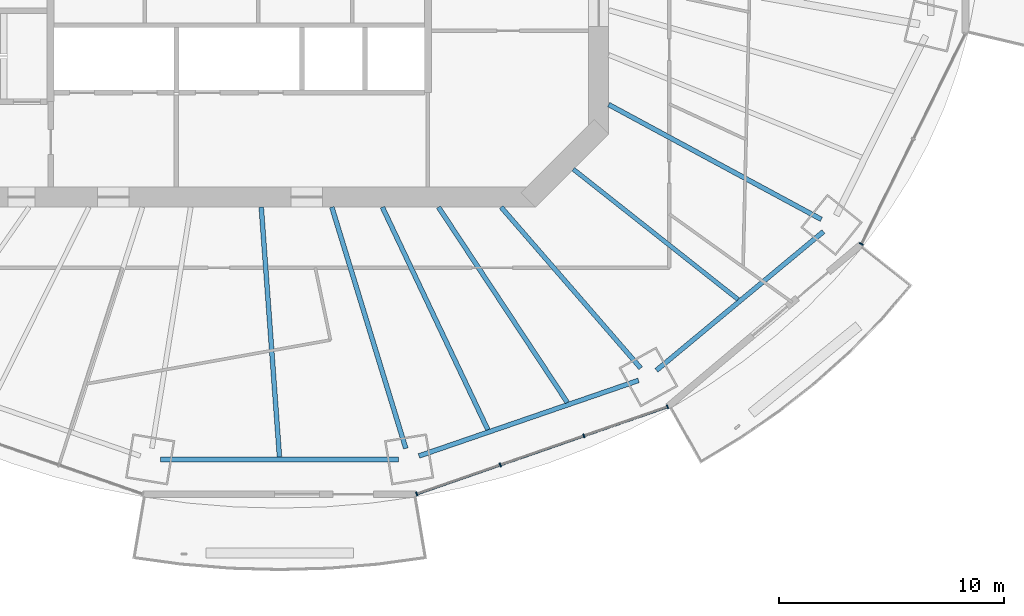
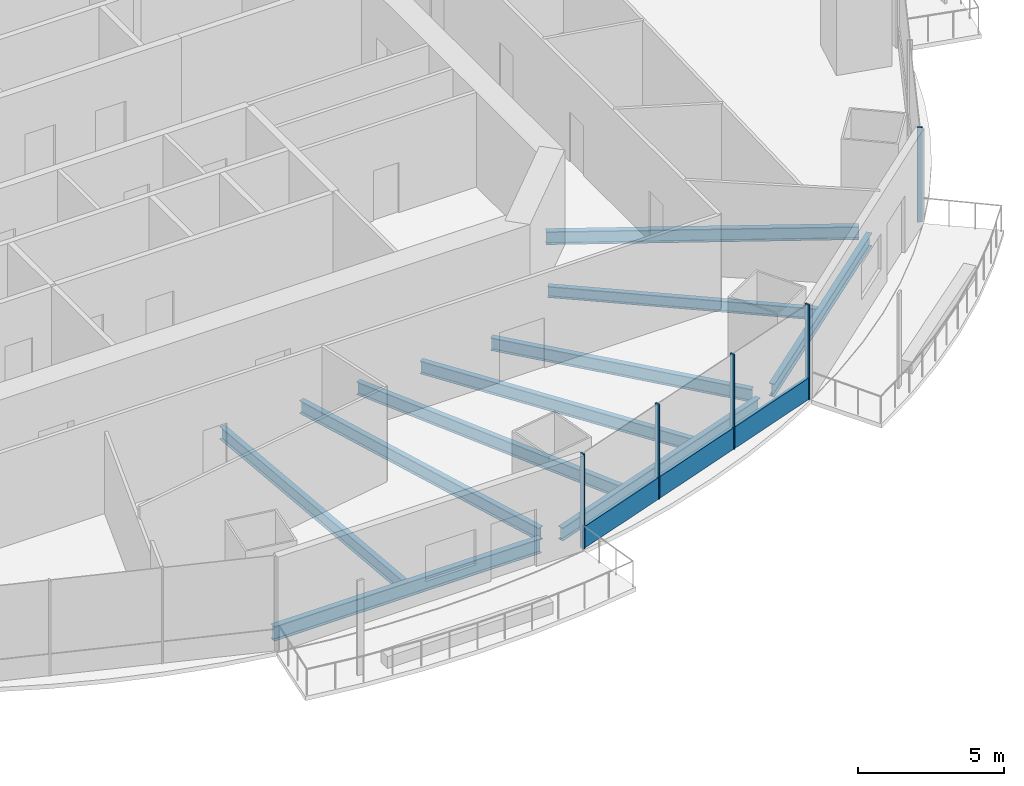
# One storey, part 4 of 20: 10 beams, 6 members, 2 elements without a shape of their own.
"""IFC4 building model written with IfcOpenShell, lengths in metres."""

from ifc_helpers import new_model, si_unit, direction, frame, origin, origin_2d, place, context, subcontext, project, spatial, rectangle, i_section, extrude, material, material_profile, profile_set, type_object, element, aggregate, save


model = new_model("IFC4")

# Units and contexts
model_context = context("Model", 3, precision=1e-05, world=origin(), true_north=direction((0.0, 1.0)))
body_context = subcontext(model_context, "Body", "Model", "MODEL_VIEW")
ifc_project = project(units=[si_unit("LENGTHUNIT", "METRE"), si_unit("AREAUNIT", "SQUARE_METRE"), si_unit("VOLUMEUNIT", "CUBIC_METRE"), si_unit("PLANEANGLEUNIT", "RADIAN"), si_unit("MASSUNIT", "GRAM", prefix="KILO")], contexts=[model_context])

# Site, building, storey
site_placement = place(None, origin())
site = spatial("IfcSite", under=ifc_project, at=site_placement, CompositionType="ELEMENT")
building_placement = place(site_placement, origin())
building = spatial("IfcBuilding", under=site, at=building_placement, Name="Marenthal Gate Tower", CompositionType="ELEMENT")
storey_placement = place(building_placement, frame((0.0, 0.0, 210.85009765625)))
storey = spatial("IfcBuildingStorey", under=building, at=storey_placement, Name="L46", CompositionType="ELEMENT", Elevation=210.85009765625)

# Curtain wall, members
ifc_material_1 = material(Name="Aluminium and glass", Category="aluminium")
curtain_wall_type = type_object("IfcCurtainWallType", Name="Curtain wall typical mid", PredefinedType="NOTDEFINED", material=ifc_material_1)
curtain_wall_1_placement = place(storey_placement, origin())
curtain_wall_1 = element("IfcCurtainWall", 1, at=curtain_wall_1_placement, inside=storey, type_object=curtain_wall_type, Name="Curtain wall L46 bay 13", PredefinedType="NOTDEFINED")
ifc_material_2 = material(Name="Aluminium", Category="aluminium")
ifc_material_profile_1 = material_profile(ifc_material_2, rectangle(XDim=0.179931640625, YDim=0.06005859375, at=origin_2d()), Name="60x180 aluminium mullion")
ifc_profile_set_1 = profile_set([ifc_material_profile_1], Name="Aluminium")
member_type_1 = type_object("IfcMemberType", Name="Mullion 60x180 typical mid", PredefinedType="MULLION", material=ifc_profile_set_1)
member_1_placement = place(storey_placement, frame((7.901611328125, -26.218017578125, 0.0), z_axis=(0.0, 0.0, 1.0), x_axis=(-0.328400483847, 0.944538576348, 0.0)))
member_1 = element("IfcMember", 2, at=member_1_placement, type_object=member_type_1, Name="Mullion L46 bay 13.1", PredefinedType="MULLION", context=body_context, shape_type="SweptSolid", body=[
    extrude(rectangle(XDim=0.179931640625, YDim=0.06005859375, at=origin_2d()), origin(), (0.0, 0.0, 1.0), 3.969970703125),
])
member_2_placement = place(storey_placement, frame((11.623291015625, -24.924072265625, 0.0), z_axis=(0.0, 0.0, 1.0), x_axis=(-0.328400483847, 0.944538576348, 0.0)))
member_2 = element("IfcMember", 3, at=member_2_placement, type_object=member_type_1, Name="Mullion L46 bay 13.2", PredefinedType="MULLION", context=body_context, shape_type="SweptSolid", body=[
    extrude(rectangle(XDim=0.179931640625, YDim=0.06005859375, at=origin_2d()), origin(), (0.0, 0.0, 1.0), 3.969970703125),
])
member_3_placement = place(storey_placement, frame((15.344970703125, -23.630126953125, 0.0), z_axis=(0.0, 0.0, 1.0), x_axis=(-0.328400483847, 0.944538576348, 0.0)))
member_3 = element("IfcMember", 4, at=member_3_placement, type_object=member_type_1, Name="Mullion L46 bay 13.3", PredefinedType="MULLION", context=body_context, shape_type="SweptSolid", body=[
    extrude(rectangle(XDim=0.179931640625, YDim=0.06005859375, at=origin_2d()), origin(), (0.0, 0.0, 1.0), 3.969970703125),
])
member_4_placement = place(storey_placement, frame((19.066650390625, -22.336181640625, 0.0), z_axis=(0.0, 0.0, 1.0), x_axis=(-0.328400483847, 0.944538576348, 0.0)))
member_4 = element("IfcMember", 5, at=member_4_placement, type_object=member_type_1, Name="Mullion L46 bay 13.4", PredefinedType="MULLION", context=body_context, shape_type="SweptSolid", body=[
    extrude(rectangle(XDim=0.179931640625, YDim=0.06005859375, at=origin_2d()), origin(), (0.0, 0.0, 1.0), 3.969970703125),
])

# Curtain wall, member
curtain_wall_2_placement = place(storey_placement, origin())
curtain_wall_2 = element("IfcCurtainWall", 6, at=curtain_wall_2_placement, inside=storey, type_object=curtain_wall_type, Name="Curtain wall L46 bay 15", PredefinedType="NOTDEFINED")
member_5_placement = place(storey_placement, frame((27.69677734375, -15.090087890625, 0.0), z_axis=(0.0, 0.0, 1.0), x_axis=(-0.896756924648, 0.442523466153, 0.0)))
member_5 = element("IfcMember", 7, at=member_5_placement, type_object=member_type_1, Name="Mullion L46 bay 15.1", PredefinedType="MULLION", context=body_context, shape_type="SweptSolid", body=[
    extrude(rectangle(XDim=0.179931640625, YDim=0.06005859375, at=origin_2d()), origin(), (0.0, 0.0, 1.0), 3.969970703125),
])
aggregate(curtain_wall_2, [member_5])

# Member
ifc_material_3 = material(Name="Aluminium", Category="aluminium")
ifc_material_profile_2 = material_profile(ifc_material_3, rectangle(XDim=0.1201171875, YDim=0.89990234375, at=origin_2d()), Name="120x900 aluminium transom")
ifc_profile_set_2 = profile_set([ifc_material_profile_2], Name="Aluminium")
member_type_2 = type_object("IfcMemberType", Name="Transom 120x900 typical mid", PredefinedType="USERDEFINED", material=ifc_profile_set_2)
member_6_placement = place(storey_placement, frame((7.929931640625, -26.208251953125, 0.449951171875), z_axis=(0.944535997597, 0.328407900703, 0.0), x_axis=(-0.328407900703, 0.944535997597, 0.0)))
member_6 = element("IfcMember", 8, at=member_6_placement, type_object=member_type_2, Name="Transom L46 bay 13", ObjectType="TRANSOM", PredefinedType="USERDEFINED", context=body_context, shape_type="SweptSolid", body=[
    extrude(rectangle(XDim=0.1201171875, YDim=0.89990234375, at=origin_2d()), origin(), (0.0, 0.0, 1.0), 11.7607421875),
])

aggregate(curtain_wall_1, [member_1, member_2, member_3, member_4, member_6])

# Beams
ifc_material_4 = material(Name="Steel S355", Category="steel")
ifc_material_profile_3 = material_profile(ifc_material_4, i_section(OverallWidth=0.193115234375, OverallDepth=0.467041015625, WebThickness=0.011474609375, FlangeThickness=0.01904296875, FilletRadius=0.010009765625, at=origin_2d()), Name="W460X97")
ifc_profile_set_3 = profile_set([ifc_material_profile_3], Name="Steel S355")
beam_type_1 = type_object("IfcBeamType", Name="W460X97 beam", PredefinedType="BEAM", material=ifc_profile_set_3)
beam_1_placement = place(storey_placement, frame((22.20849609375, -17.55859375, -0.41357421875), z_axis=(-0.784446026981, 0.620197090249, 0.0), x_axis=(-0.620197090249, -0.784446026981, 0.0)))
element("IfcBeam", 9, at=beam_1_placement, inside=storey, type_object=beam_type_1, Name="BM-L46-37", PredefinedType="BEAM", context=body_context, shape_type="SweptSolid", body=[
    extrude(i_section(OverallWidth=0.193115234375, OverallDepth=0.467041015625, WebThickness=0.011474609375, FlangeThickness=0.01904296875, FilletRadius=0.010009765625, at=origin_2d()), origin(), (0.0, 0.0, 1.0), 9.347900390625),
])
ifc_material_5 = material(Name="Steel S355", Category="steel")
ifc_material_profile_4 = material_profile(ifc_material_5, i_section(OverallWidth=0.2099609375, OverallDepth=0.535888671875, WebThickness=0.010986328125, FlangeThickness=0.017333984375, FilletRadius=0.0126953125, at=origin_2d()), Name="W530X101")
ifc_profile_set_4 = profile_set([ifc_material_profile_4], Name="Steel S355")
beam_type_2 = type_object("IfcBeamType", Name="W530X101 beam", PredefinedType="BEAM", material=ifc_profile_set_4)
beam_2_placement = place(storey_placement, frame((17.875244140625, -20.618408203125, -0.447998046875), z_axis=(-0.655047115291, 0.755588033752, 0.0), x_axis=(-0.755588033752, -0.655047115291, 0.0)))
element("IfcBeam", 10, at=beam_2_placement, inside=storey, type_object=beam_type_2, Name="BM-L46-14", PredefinedType="BEAM", context=body_context, shape_type="SweptSolid", body=[
    extrude(i_section(OverallWidth=0.2099609375, OverallDepth=0.535888671875, WebThickness=0.010986328125, FlangeThickness=0.017333984375, FilletRadius=0.0126953125, at=origin_2d()), origin(), (0.0, 0.0, 1.0), 9.4873046875),
])
beam_3_placement = place(storey_placement, frame((1.79150390625, -24.563720703125, -0.447998046875), z_axis=(-0.072738576009, 0.997351041289, 0.0), x_axis=(-0.997351041289, -0.072738576009, 0.0)))
element("IfcBeam", 11, at=beam_3_placement, inside=storey, type_object=beam_type_2, Name="BM-L46-34", PredefinedType="BEAM", context=body_context, shape_type="SweptSolid", body=[
    extrude(i_section(OverallWidth=0.2099609375, OverallDepth=0.535888671875, WebThickness=0.010986328125, FlangeThickness=0.017333984375, FilletRadius=0.0126953125, at=origin_2d()), origin(), (0.0, 0.0, 1.0), 11.143310546875),
])
beam_4_placement = place(storey_placement, frame((11.070068359375, -23.360107421875, -0.447998046875), z_axis=(-0.428235626574, 0.903667111348, 0.0), x_axis=(-0.903667111348, -0.428235626574, 0.0)))
element("IfcBeam", 12, at=beam_4_placement, inside=storey, type_object=beam_type_2, Name="BM-L46-35", PredefinedType="BEAM", context=body_context, shape_type="SweptSolid", body=[
    extrude(i_section(OverallWidth=0.2099609375, OverallDepth=0.535888671875, WebThickness=0.010986328125, FlangeThickness=0.017333984375, FilletRadius=0.0126953125, at=origin_2d()), origin(), (0.0, 0.0, 1.0), 10.966552734375),
])
beam_5_placement = place(storey_placement, frame((14.606201171875, -22.14306640625, -0.447998046875), z_axis=(-0.550636107406, 0.834745396645, 0.0), x_axis=(-0.834745396645, -0.550636107406, 0.0)))
element("IfcBeam", 13, at=beam_5_placement, inside=storey, type_object=beam_type_2, Name="BM-L46-36", PredefinedType="BEAM", context=body_context, shape_type="SweptSolid", body=[
    extrude(i_section(OverallWidth=0.2099609375, OverallDepth=0.535888671875, WebThickness=0.010986328125, FlangeThickness=0.017333984375, FilletRadius=0.0126953125, at=origin_2d()), origin(), (0.0, 0.0, 1.0), 10.4140625),
])
ifc_material_6 = material(Name="Steel S355", Category="steel")
ifc_material_profile_5 = material_profile(ifc_material_6, i_section(OverallWidth=0.2119140625, OverallDepth=0.5439453125, WebThickness=0.01318359375, FlangeThickness=0.021240234375, FilletRadius=0.0126953125, at=origin_2d()), Name="W530X123")
ifc_profile_set_5 = profile_set([ifc_material_profile_5], Name="Steel S355")
beam_type_3 = type_object("IfcBeamType", Name="W530X123 beam", PredefinedType="BEAM", material=ifc_profile_set_5)
beam_6_placement = place(storey_placement, frame((7.415771484375, -24.191650390625, -0.4521484375), z_axis=(-0.293076342518, 0.95608904264, 0.0), x_axis=(-0.95608904264, -0.293076342518, 0.0)))
element("IfcBeam", 14, at=beam_6_placement, inside=storey, type_object=beam_type_3, Name="BM-L46-13", PredefinedType="BEAM", context=body_context, shape_type="SweptSolid", body=[
    extrude(i_section(OverallWidth=0.2119140625, OverallDepth=0.5439453125, WebThickness=0.01318359375, FlangeThickness=0.021240234375, FilletRadius=0.0126953125, at=origin_2d()), origin(), (0.0, 0.0, 1.0), 11.235107421875),
])
beam_7_placement = place(storey_placement, frame((25.915283203125, -13.99365234375, -0.4521484375), z_axis=(-0.879922477048, 0.475117284873, 0.0), x_axis=(-0.475117284873, -0.879922477048, 0.0)))
element("IfcBeam", 15, at=beam_7_placement, inside=storey, type_object=beam_type_3, Name="BM-L46-15", PredefinedType="BEAM", context=body_context, shape_type="SweptSolid", body=[
    extrude(i_section(OverallWidth=0.2119140625, OverallDepth=0.5439453125, WebThickness=0.01318359375, FlangeThickness=0.021240234375, FilletRadius=0.0126953125, at=origin_2d()), origin(), (0.0, 0.0, 1.0), 10.757080078125),
])
beam_8_placement = place(storey_placement, frame((8.003173828125, -24.527587890625, -0.4521484375), z_axis=(0.945573092466, 0.325409782895, 0.0), x_axis=(-0.325409782895, 0.945573092466, 0.0)))
element("IfcBeam", 16, at=beam_8_placement, inside=storey, type_object=beam_type_3, Name="BM-L46-53", PredefinedType="BEAM", context=body_context, shape_type="SweptSolid", body=[
    extrude(i_section(OverallWidth=0.2119140625, OverallDepth=0.5439453125, WebThickness=0.01318359375, FlangeThickness=0.021240234375, FilletRadius=0.0126953125, at=origin_2d()), origin(), (0.0, 0.0, 1.0), 10.3369140625),
])
beam_9_placement = place(storey_placement, frame((18.576171875, -20.71435546875, -0.4521484375), z_axis=(0.769177190063, 0.639035562615, 0.0), x_axis=(-0.639035562615, 0.769177190063, 0.0)))
element("IfcBeam", 17, at=beam_9_placement, inside=storey, type_object=beam_type_3, Name="BM-L46-54", PredefinedType="BEAM", context=body_context, shape_type="SweptSolid", body=[
    extrude(i_section(OverallWidth=0.2119140625, OverallDepth=0.5439453125, WebThickness=0.01318359375, FlangeThickness=0.021240234375, FilletRadius=0.0126953125, at=origin_2d()), origin(), (0.0, 0.0, 1.0), 9.6630859375),
])
ifc_material_7 = material(Name="Steel S355", Category="steel")
ifc_material_profile_6 = material_profile(ifc_material_7, i_section(OverallWidth=0.22900390625, OverallDepth=0.612060546875, WebThickness=0.011962890625, FlangeThickness=0.01953125, FilletRadius=0.0126953125, at=origin_2d()), Name="W610X125")
ifc_profile_set_6 = profile_set([ifc_material_profile_6], Name="Steel S355")
beam_type_4 = type_object("IfcBeamType", Name="W610X125 beam", PredefinedType="BEAM", material=ifc_profile_set_6)
beam_10_placement = place(storey_placement, frame((-3.501953125, -24.67822265625, -0.486083984375), z_axis=(1.0, 0.0, 0.0), x_axis=(0.0, 1.0, 0.0)))
element("IfcBeam", 18, at=beam_10_placement, inside=storey, type_object=beam_type_4, Name="BM-L46-52", PredefinedType="BEAM", context=body_context, shape_type="SweptSolid", body=[
    extrude(i_section(OverallWidth=0.22900390625, OverallDepth=0.612060546875, WebThickness=0.011962890625, FlangeThickness=0.01953125, FilletRadius=0.0126953125, at=origin_2d()), origin(), (0.0, 0.0, 1.0), 10.60400390625),
])

save(model, "model.ifc")
